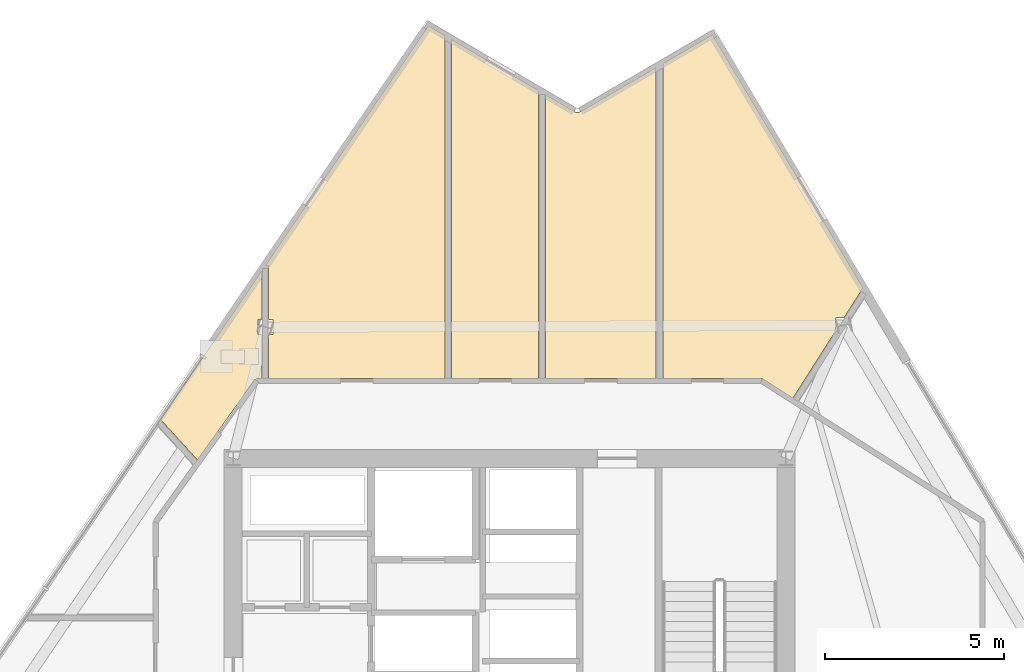
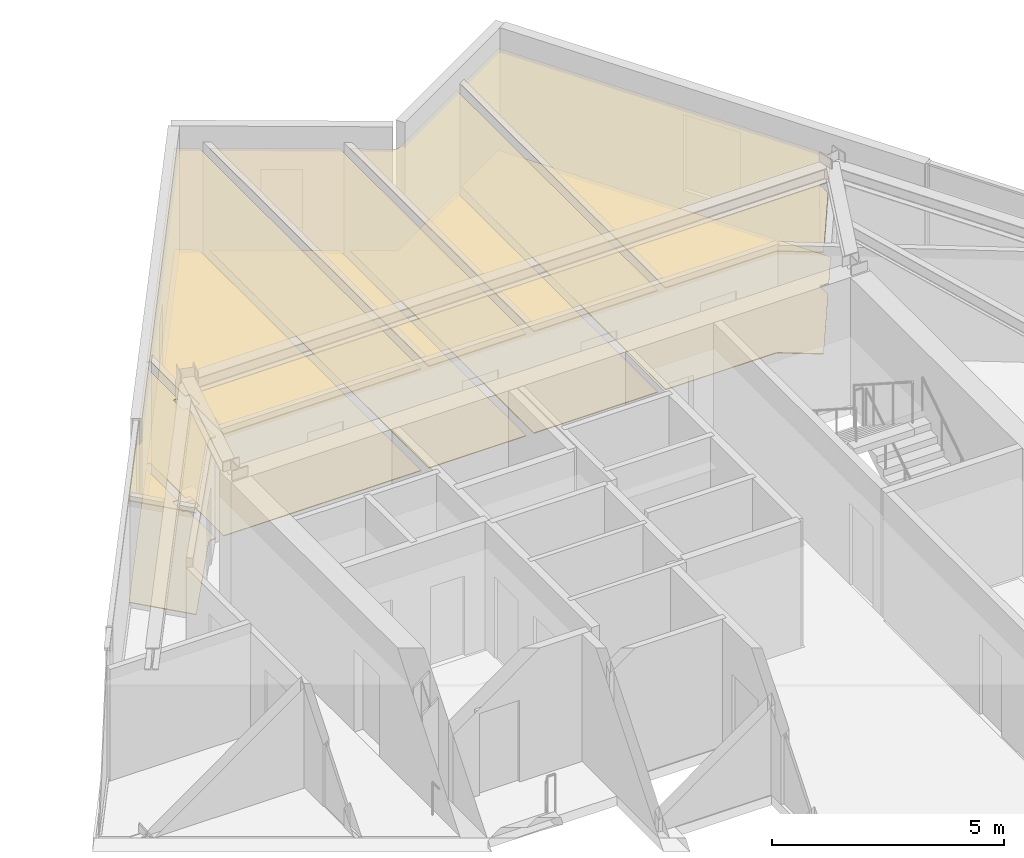
# One storey, part 14 of 15: 10 coverings.
"""IFC4 building model written with IfcOpenShell, lengths in metres."""

from ifc_helpers import new_model, si_unit, direction, frame, origin, place, context, subcontext, project, spatial, polyline, outline, extrude, material, layer, layer_set, type_object, element, save


model = new_model("IFC4")

# Units and contexts
model_context = context("Model", 3, precision=1e-05, world=origin(), true_north=direction((0.0, 1.0)))
body_context = subcontext(model_context, "Body", "Model", "MODEL_VIEW")
ifc_project = project(units=[si_unit("LENGTHUNIT", "METRE"), si_unit("AREAUNIT", "SQUARE_METRE"), si_unit("VOLUMEUNIT", "CUBIC_METRE"), si_unit("PLANEANGLEUNIT", "RADIAN"), si_unit("MASSUNIT", "GRAM", prefix="KILO")], contexts=[model_context])

# Site, building, storey
site_placement = place(None, origin())
site = spatial("IfcSite", under=ifc_project, at=site_placement, CompositionType="ELEMENT")
building_placement = place(site_placement, origin())
building = spatial("IfcBuilding", under=site, at=building_placement, Name="Savorim Split Tower", CompositionType="ELEMENT")
storey_placement = place(building_placement, frame((0.0, 0.0, 163.800048828125)))
storey = spatial("IfcBuildingStorey", under=building, at=storey_placement, Name="L43", CompositionType="ELEMENT", Elevation=163.800048828125)

# Coverings
ifc_material_1 = material(Name="Mineral Fibre Acoustic Ceiling")
ifc_layer_1 = layer(ifc_material_1, 0.02490234375)
ifc_layer_set_1 = layer_set([ifc_layer_1], Name="COV-CEIL-25")
covering_type_1 = type_object("IfcCoveringType", Name="COV-CEIL-25", PredefinedType="CEILING", material=ifc_layer_set_1)
covering_1_placement = place(storey_placement, frame((0.0, 0.0, 2.669921875)))
element("IfcCovering", 1, at=covering_1_placement, inside=storey, type_object=covering_type_1, Name="L43 Quiet Study Room Acoustic Ceiling", PredefinedType="CEILING", context=body_context, shape_type="SweptSolid", body=[
    extrude(outline(polyline([(9.845947265625, 14.94091796875), (9.861083984375, 14.931396484375), (5.65478515625, 22.00537109375), (4.27783203125, 21.202880859375), (4.27783203125, 12.419921875), (7.0, 12.419921875), (7.01318359375, 12.41943359375), (7.0263671875, 12.41748046875), (7.0390625, 12.414306640625), (7.051513671875, 12.41015625), (7.063720703125, 12.40478515625), (7.0751953125, 12.398193359375), (7.896240234375, 11.875732421875), (9.090576171875, 13.753173828125), (9.090576171875, 14.11669921875), (9.32177734375, 14.11669921875), (9.794921875, 14.86083984375), (9.845947265625, 14.94091796875)])), origin(), (0.0, 0.0, 1.0), 0.025146484375),
])
covering_2_placement = place(storey_placement, frame((0.0, 0.0, 2.669921875)))
element("IfcCovering", 2, at=covering_2_placement, inside=storey, type_object=covering_type_1, Name="L43 Quiet Study Room Acoustic Ceiling", PredefinedType="CEILING", context=body_context, shape_type="SweptSolid", body=[
    extrude(outline(polyline([(1.85205078125, 19.838134765625), (1.84130859375, 19.842529296875), (1.831298828125, 19.847900390625), (1.00439453125, 20.333740234375), (1.00439453125, 12.419921875), (4.087890625, 12.419921875), (4.087890625, 21.09228515625), (1.952392578125, 19.84765625), (1.942138671875, 19.84228515625), (1.931396484375, 19.838134765625), (1.92041015625, 19.834716796875), (1.9091796875, 19.83251953125), (1.897705078125, 19.83154296875), (1.885986328125, 19.83154296875), (1.87451171875, 19.832763671875), (1.86328125, 19.8349609375), (1.85205078125, 19.838134765625)])), origin(), (0.0, 0.0, 1.0), 0.025146484375),
])
covering_3_placement = place(storey_placement, frame((0.0, 0.0, 2.669921875)))
element("IfcCovering", 3, at=covering_3_placement, inside=storey, type_object=covering_type_1, Name="L43 Quiet Study Room Acoustic Ceiling", PredefinedType="CEILING", context=body_context, shape_type="SweptSolid", body=[
    extrude(outline(polyline([(-1.60986328125, 12.419921875), (0.814453125, 12.419921875), (0.814453125, 20.445556640625), (-1.60986328125, 21.870361328125), (-1.60986328125, 12.419921875)])), origin(), (0.0, 0.0, 1.0), 0.025146484375),
])
covering_4_placement = place(storey_placement, frame((0.0, 0.0, 2.669921875)))
element("IfcCovering", 4, at=covering_4_placement, inside=storey, type_object=covering_type_1, Name="L43 Quiet Study Room Acoustic Ceiling", PredefinedType="CEILING", context=body_context, shape_type="SweptSolid", body=[
    extrude(outline(polyline([(-6.708984375, 12.419921875), (-1.7998046875, 12.419921875), (-1.7998046875, 21.98193359375), (-2.259521484375, 22.252197265625), (-6.7998046875, 15.577880859375), (-6.708984375, 15.577880859375), (-6.708984375, 14.067626953125), (-6.593505859375, 14.067626953125), (-6.593505859375, 13.648681640625), (-6.708984375, 13.648681640625), (-6.708984375, 12.419921875)])), origin(), (0.0, 0.0, 1.0), 0.025146484375),
])
covering_5_placement = place(storey_placement, frame((0.0, 0.0, 2.669921875)))
element("IfcCovering", 5, at=covering_5_placement, inside=storey, type_object=covering_type_1, Name="L43 Shared Bathroom Acoustic Ceiling", PredefinedType="CEILING", context=body_context, shape_type="SweptSolid", body=[
    extrude(outline(polyline([(-7.01318359375, 12.41943359375), (-7.0, 12.419921875), (-6.89892578125, 12.419921875), (-6.89892578125, 13.648681640625), (-7.014404296875, 13.648681640625), (-7.014404296875, 14.067626953125), (-6.89892578125, 14.067626953125), (-6.89892578125, 15.43212890625), (-9.722412109375, 11.281494140625), (-8.695068359375, 10.154541015625), (-7.11376953125, 12.361572265625), (-7.105712890625, 12.3720703125), (-7.096435546875, 12.381591796875), (-7.086181640625, 12.39013671875), (-7.075439453125, 12.39794921875), (-7.06396484375, 12.404541015625), (-7.052001953125, 12.409912109375), (-7.039306640625, 12.414306640625), (-7.0263671875, 12.41748046875), (-7.01318359375, 12.41943359375)])), origin(), (0.0, 0.0, 1.0), 0.025146484375),
])
ifc_material_2 = material(Name="Porcelain Stoneware Flooring", Category="masonry")
ifc_layer_2 = layer(ifc_material_2, 0.02001953125)
ifc_layer_set_2 = layer_set([ifc_layer_2], Name="COV-FLOR-20")
covering_type_2 = type_object("IfcCoveringType", Name="COV-FLOR-20", PredefinedType="FLOORING", material=ifc_layer_set_2)
covering_6_placement = place(storey_placement, origin())
element("IfcCovering", 6, at=covering_6_placement, inside=storey, type_object=covering_type_2, Name="L43 Quiet Study Room Porcelain Flooring", PredefinedType="FLOORING", context=body_context, shape_type="SweptSolid", body=[
    extrude(outline(polyline([(9.845947265625, 14.94091796875), (9.861083984375, 14.931396484375), (5.65478515625, 22.00537109375), (4.27783203125, 21.202880859375), (4.27783203125, 12.419921875), (7.0, 12.419921875), (7.01318359375, 12.41943359375), (7.0263671875, 12.41748046875), (7.0390625, 12.414306640625), (7.051513671875, 12.41015625), (7.063720703125, 12.40478515625), (7.0751953125, 12.398193359375), (7.896240234375, 11.875732421875), (9.090576171875, 13.753173828125), (9.090576171875, 14.11669921875), (9.32177734375, 14.11669921875), (9.794921875, 14.86083984375), (9.845947265625, 14.94091796875)])), origin(), (0.0, 0.0, 1.0), 0.02001953125),
])
covering_7_placement = place(storey_placement, origin())
element("IfcCovering", 7, at=covering_7_placement, inside=storey, type_object=covering_type_2, Name="L43 Quiet Study Room Porcelain Flooring", PredefinedType="FLOORING", context=body_context, shape_type="SweptSolid", body=[
    extrude(outline(polyline([(1.85205078125, 19.838134765625), (1.84130859375, 19.842529296875), (1.831298828125, 19.847900390625), (1.00439453125, 20.333740234375), (1.00439453125, 12.419921875), (4.087890625, 12.419921875), (4.087890625, 21.09228515625), (1.952392578125, 19.84765625), (1.942138671875, 19.84228515625), (1.931396484375, 19.838134765625), (1.92041015625, 19.834716796875), (1.9091796875, 19.83251953125), (1.897705078125, 19.83154296875), (1.885986328125, 19.83154296875), (1.87451171875, 19.832763671875), (1.86328125, 19.8349609375), (1.85205078125, 19.838134765625)])), origin(), (0.0, 0.0, 1.0), 0.02001953125),
])
covering_8_placement = place(storey_placement, origin())
element("IfcCovering", 8, at=covering_8_placement, inside=storey, type_object=covering_type_2, Name="L43 Quiet Study Room Porcelain Flooring", PredefinedType="FLOORING", context=body_context, shape_type="SweptSolid", body=[
    extrude(outline(polyline([(-1.60986328125, 12.419921875), (0.814453125, 12.419921875), (0.814453125, 20.445556640625), (-1.60986328125, 21.870361328125), (-1.60986328125, 12.419921875)])), origin(), (0.0, 0.0, 1.0), 0.02001953125),
])
covering_9_placement = place(storey_placement, origin())
element("IfcCovering", 9, at=covering_9_placement, inside=storey, type_object=covering_type_2, Name="L43 Quiet Study Room Porcelain Flooring", PredefinedType="FLOORING", context=body_context, shape_type="SweptSolid", body=[
    extrude(outline(polyline([(-6.708984375, 12.419921875), (-1.7998046875, 12.419921875), (-1.7998046875, 21.98193359375), (-2.259521484375, 22.252197265625), (-6.7998046875, 15.577880859375), (-6.708984375, 15.577880859375), (-6.708984375, 14.067626953125), (-6.593505859375, 14.067626953125), (-6.593505859375, 13.648681640625), (-6.708984375, 13.648681640625), (-6.708984375, 12.419921875)])), origin(), (0.0, 0.0, 1.0), 0.02001953125),
])
covering_10_placement = place(storey_placement, origin())
element("IfcCovering", 10, at=covering_10_placement, inside=storey, type_object=covering_type_2, Name="L43 Shared Bathroom Porcelain Flooring", PredefinedType="FLOORING", context=body_context, shape_type="SweptSolid", body=[
    extrude(outline(polyline([(-7.01318359375, 12.41943359375), (-7.0, 12.419921875), (-6.89892578125, 12.419921875), (-6.89892578125, 13.648681640625), (-7.014404296875, 13.648681640625), (-7.014404296875, 14.067626953125), (-6.89892578125, 14.067626953125), (-6.89892578125, 15.43212890625), (-9.722412109375, 11.281494140625), (-8.695068359375, 10.154541015625), (-7.11376953125, 12.361572265625), (-7.105712890625, 12.3720703125), (-7.096435546875, 12.381591796875), (-7.086181640625, 12.39013671875), (-7.075439453125, 12.39794921875), (-7.06396484375, 12.404541015625), (-7.052001953125, 12.409912109375), (-7.039306640625, 12.414306640625), (-7.0263671875, 12.41748046875), (-7.01318359375, 12.41943359375)])), origin(), (0.0, 0.0, 1.0), 0.02001953125),
])

save(model, "model.ifc")
